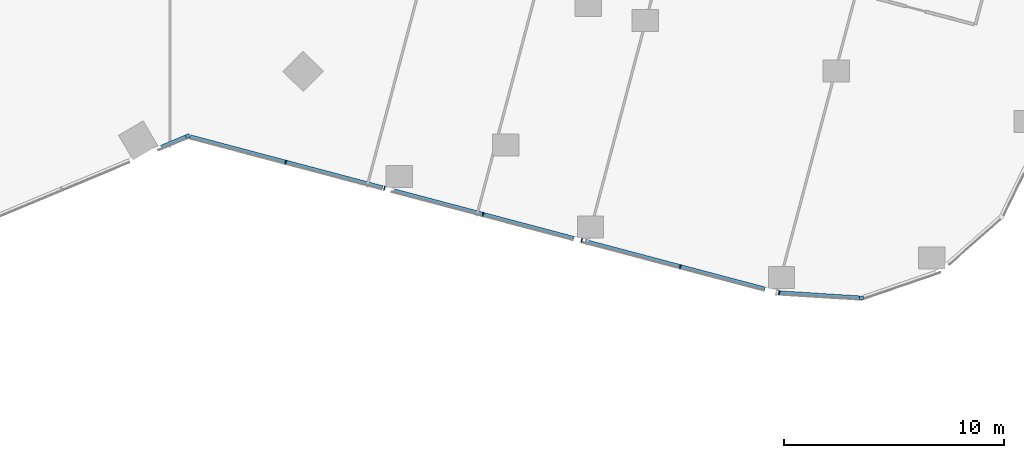
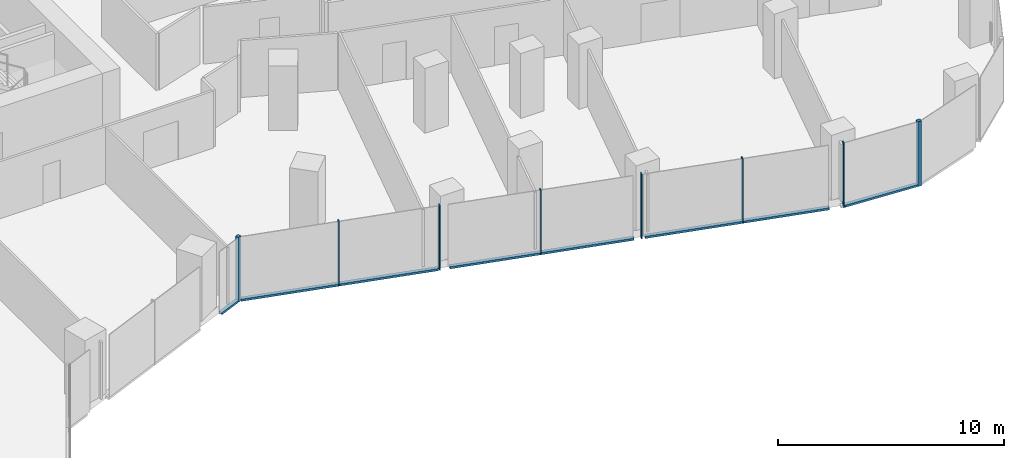
# One storey, part 9 of 34: 13 members, 3 elements without a shape of their own.
"""IFC4 building model written with IfcOpenShell, lengths in metres."""

from ifc_helpers import new_model, si_unit, direction, frame, origin, origin_2d, place, context, subcontext, project, spatial, rectangle, extrude, material, material_profile, profile_set, type_object, element, aggregate, save


model = new_model("IFC4")

# Units and contexts
model_context = context("Model", 3, precision=1e-05, world=origin(), true_north=direction((0.0, 1.0)))
body_context = subcontext(model_context, "Body", "Model", "MODEL_VIEW")
ifc_project = project(units=[si_unit("LENGTHUNIT", "METRE"), si_unit("AREAUNIT", "SQUARE_METRE"), si_unit("VOLUMEUNIT", "CUBIC_METRE"), si_unit("PLANEANGLEUNIT", "RADIAN"), si_unit("MASSUNIT", "GRAM", prefix="KILO")], contexts=[model_context])

# Site, building, storey
site_placement = place(None, origin())
site = spatial("IfcSite", under=ifc_project, at=site_placement, CompositionType="ELEMENT")
building_placement = place(site_placement, origin())
building = spatial("IfcBuilding", under=site, at=building_placement, Name="Orlundy Tower", CompositionType="ELEMENT")
storey_placement = place(building_placement, frame((0.0, 0.0, 105.699951171875)))
storey = spatial("IfcBuildingStorey", under=building, at=storey_placement, Name="L26", CompositionType="ELEMENT", Elevation=105.699951171875)

# Curtain wall, member
ifc_material_1 = material(Name="Aluminium bronze anodised", Category="aluminium")
curtain_wall_type = type_object("IfcCurtainWallType", Name="CW1 wall", PredefinedType="NOTDEFINED", material=ifc_material_1)
curtain_wall_1_placement = place(storey_placement, origin())
curtain_wall_1 = element("IfcCurtainWall", 1, at=curtain_wall_1_placement, inside=storey, type_object=curtain_wall_type, Name="CW1 run 01", PredefinedType="NOTDEFINED")
ifc_material_2 = material(Name="Aluminium bronze anodised", Category="aluminium")
ifc_material_profile_1 = material_profile(ifc_material_2, rectangle(XDim=0.179931640625, YDim=0.179931640625, at=origin_2d()), Name="CW1 corner post 180x180")
ifc_profile_set_1 = profile_set([ifc_material_profile_1], Name="Aluminium bronze anodised")
member_type_1 = type_object("IfcMemberType", Name="CW1 corner post 180x180", PredefinedType="MULLION", material=ifc_profile_set_1)
member_1_placement = place(storey_placement, frame((17.32861328125, -25.371826171875, -0.39990234375), z_axis=(0.0, 0.0, 1.0), x_axis=(0.385377262048, -0.922759105019, 0.0)))
member_1 = element("IfcMember", 2, at=member_1_placement, type_object=member_type_1, Name="CW1 mullion 7", PredefinedType="MULLION", context=body_context, shape_type="SweptSolid", body=[
    extrude(rectangle(XDim=0.179931640625, YDim=0.179931640625, at=origin_2d()), origin(), (0.0, 0.0, 1.0), 3.5),
])

curtain_wall_2_placement = place(storey_placement, origin())
curtain_wall_2 = element("IfcCurtainWall", 3, at=curtain_wall_2_placement, inside=storey, type_object=curtain_wall_type, Name="CW1 run 027", PredefinedType="NOTDEFINED")
member_2_placement = place(storey_placement, frame((47.892333984375, -32.712890625, -0.39990234375), z_axis=(0.0, 0.0, 1.0), x_axis=(-0.06257980311, -0.998039963249, 0.0)))
member_2 = element("IfcMember", 4, at=member_2_placement, type_object=member_type_1, Name="CW1 mullion 68", PredefinedType="MULLION", context=body_context, shape_type="SweptSolid", body=[
    extrude(rectangle(XDim=0.179931640625, YDim=0.179931640625, at=origin_2d()), origin(), (0.0, 0.0, 1.0), 3.5),
])

# Curtain wall, members
curtain_wall_3_placement = place(storey_placement, origin())
curtain_wall_3 = element("IfcCurtainWall", 5, at=curtain_wall_3_placement, inside=storey, type_object=curtain_wall_type, Name="CW1 run 00", PredefinedType="NOTDEFINED")
ifc_material_3 = material(Name="Aluminium bronze anodised", Category="aluminium")
ifc_material_profile_2 = material_profile(ifc_material_3, rectangle(XDim=0.179931640625, YDim=0.050048828125, at=origin_2d()), Name="CW1 mullion 50x180")
ifc_profile_set_2 = profile_set([ifc_material_profile_2], Name="Aluminium bronze anodised")
member_type_2 = type_object("IfcMemberType", Name="CW1 mullion 50x180", PredefinedType="MULLION", material=ifc_profile_set_2)
member_3_placement = place(storey_placement, frame((44.16552734375, -32.479248046875, -0.39990234375), z_axis=(0.0, 0.0, 1.0), x_axis=(-0.160065696582, -0.987106363457, 0.0)))
member_3 = element("IfcMember", 6, at=member_3_placement, type_object=member_type_2, Name="CW1 mullion 1", PredefinedType="MULLION", context=body_context, shape_type="SweptSolid", body=[
    extrude(rectangle(XDim=0.179931640625, YDim=0.050048828125, at=origin_2d()), origin(), (0.0, 0.0, 1.0), 3.5),
])
member_4_placement = place(storey_placement, frame((39.6806640625, -31.29150390625, -0.39990234375), z_axis=(0.0, 0.0, 1.0), x_axis=(-0.256011270968, -0.966673796654, 0.0)))
member_4 = element("IfcMember", 7, at=member_4_placement, type_object=member_type_2, Name="CW1 mullion 2", PredefinedType="MULLION", context=body_context, shape_type="SweptSolid", body=[
    extrude(rectangle(XDim=0.179931640625, YDim=0.050048828125, at=origin_2d()), origin(), (0.0, 0.0, 1.0), 3.5),
])
member_5_placement = place(storey_placement, frame((35.204345703125, -30.10595703125, -0.39990234375), z_axis=(0.0, 0.0, 1.0), x_axis=(-0.256011270968, -0.966673796654, 0.0)))
member_5 = element("IfcMember", 8, at=member_5_placement, type_object=member_type_2, Name="CW1 mullion 3", PredefinedType="MULLION", context=body_context, shape_type="SweptSolid", body=[
    extrude(rectangle(XDim=0.179931640625, YDim=0.050048828125, at=origin_2d()), origin(), (0.0, 0.0, 1.0), 3.5),
])
member_6_placement = place(storey_placement, frame((30.72802734375, -28.92041015625, -0.39990234375), z_axis=(0.0, 0.0, 1.0), x_axis=(-0.256011270968, -0.966673796654, 0.0)))
member_6 = element("IfcMember", 9, at=member_6_placement, type_object=member_type_2, Name="CW1 mullion 4", PredefinedType="MULLION", context=body_context, shape_type="SweptSolid", body=[
    extrude(rectangle(XDim=0.179931640625, YDim=0.050048828125, at=origin_2d()), origin(), (0.0, 0.0, 1.0), 3.5),
])
member_7_placement = place(storey_placement, frame((26.251708984375, -27.735107421875, -0.39990234375), z_axis=(0.0, 0.0, 1.0), x_axis=(-0.256011270968, -0.966673796654, 0.0)))
member_7 = element("IfcMember", 10, at=member_7_placement, type_object=member_type_2, Name="CW1 mullion 5", PredefinedType="MULLION", context=body_context, shape_type="SweptSolid", body=[
    extrude(rectangle(XDim=0.179931640625, YDim=0.050048828125, at=origin_2d()), origin(), (0.0, 0.0, 1.0), 3.5),
])
member_8_placement = place(storey_placement, frame((21.775390625, -26.549560546875, -0.39990234375), z_axis=(0.0, 0.0, 1.0), x_axis=(-0.256011270968, -0.966673796654, 0.0)))
member_8 = element("IfcMember", 11, at=member_8_placement, type_object=member_type_2, Name="CW1 mullion 6", PredefinedType="MULLION", context=body_context, shape_type="SweptSolid", body=[
    extrude(rectangle(XDim=0.179931640625, YDim=0.050048828125, at=origin_2d()), origin(), (0.0, 0.0, 1.0), 3.5),
])
ifc_material_4 = material(Name="Aluminium bronze anodised", Category="aluminium")
ifc_material_profile_3 = material_profile(ifc_material_4, rectangle(XDim=0.179931640625, YDim=0.1201171875, at=origin_2d()), Name="CW1 transom 180x120")
ifc_profile_set_3 = profile_set([ifc_material_profile_3], Name="Aluminium bronze anodised")
member_type_3 = type_object("IfcMemberType", Name="CW1 transom 180x120", PredefinedType="USERDEFINED", material=ifc_profile_set_3)
member_9_placement = place(storey_placement, frame((43.51904296875, -32.30810546875, -0.33984375), z_axis=(-0.966671340271, 0.256020545854, 0.0), x_axis=(-0.256020545854, -0.966671340271, 0.0)))
member_9 = element("IfcMember", 12, at=member_9_placement, type_object=member_type_3, Name="CW1 transom", ObjectType="TRANSOM", PredefinedType="USERDEFINED", context=body_context, shape_type="SweptSolid", body=[
    extrude(rectangle(XDim=0.179931640625, YDim=0.1201171875, at=origin_2d()), origin(), (0.0, 0.0, 1.0), 8.441162109375),
])
member_10_placement = place(storey_placement, frame((34.85205078125, -30.0126953125, -0.33984375), z_axis=(-0.9666761779, 0.256002279443, 0.0), x_axis=(-0.256002279443, -0.9666761779, 0.0)))
member_10 = element("IfcMember", 13, at=member_10_placement, type_object=member_type_3, Name="CW1 transom", ObjectType="TRANSOM", PredefinedType="USERDEFINED", context=body_context, shape_type="SweptSolid", body=[
    extrude(rectangle(XDim=0.179931640625, YDim=0.1201171875, at=origin_2d()), origin(), (0.0, 0.0, 1.0), 8.43994140625),
])
member_11_placement = place(storey_placement, frame((26.18408203125, -27.717041015625, -0.33984375), z_axis=(-0.966675575207, 0.25600455523, 0.0), x_axis=(-0.25600455523, -0.966675575207, 0.0)))
member_11 = element("IfcMember", 14, at=member_11_placement, type_object=member_type_3, Name="CW1 transom", ObjectType="TRANSOM", PredefinedType="USERDEFINED", context=body_context, shape_type="SweptSolid", body=[
    extrude(rectangle(XDim=0.179931640625, YDim=0.1201171875, at=origin_2d()), origin(), (0.0, 0.0, 1.0), 9.04736328125),
])
aggregate(curtain_wall_3, [member_3, member_4, member_5, member_6, member_7, member_8, member_9, member_10, member_11])

# Member
member_12_placement = place(storey_placement, frame((17.245361328125, -25.406494140625, -0.33984375), z_axis=(-0.922718263349, -0.385475040025, 0.0), x_axis=(0.385475040025, -0.922718263349, 0.0)))
member_12 = element("IfcMember", 15, at=member_12_placement, type_object=member_type_3, Name="CW1 transom", ObjectType="TRANSOM", PredefinedType="USERDEFINED", context=body_context, shape_type="SweptSolid", body=[
    extrude(rectangle(XDim=0.179931640625, YDim=0.1201171875, at=origin_2d()), origin(), (0.0, 0.0, 1.0), 1.209716796875),
])

aggregate(curtain_wall_1, [member_1, member_12])

member_13_placement = place(storey_placement, frame((47.802490234375, -32.707275390625, -0.33984375), z_axis=(-0.998042590698, 0.062537885736, 0.0), x_axis=(-0.062537885736, -0.998042590698, 0.0)))
member_13 = element("IfcMember", 16, at=member_13_placement, type_object=member_type_3, Name="CW1 transom", ObjectType="TRANSOM", PredefinedType="USERDEFINED", context=body_context, shape_type="SweptSolid", body=[
    extrude(rectangle(XDim=0.179931640625, YDim=0.1201171875, at=origin_2d()), origin(), (0.0, 0.0, 1.0), 3.618896484375),
])

aggregate(curtain_wall_2, [member_2, member_13])

save(model, "model.ifc")
